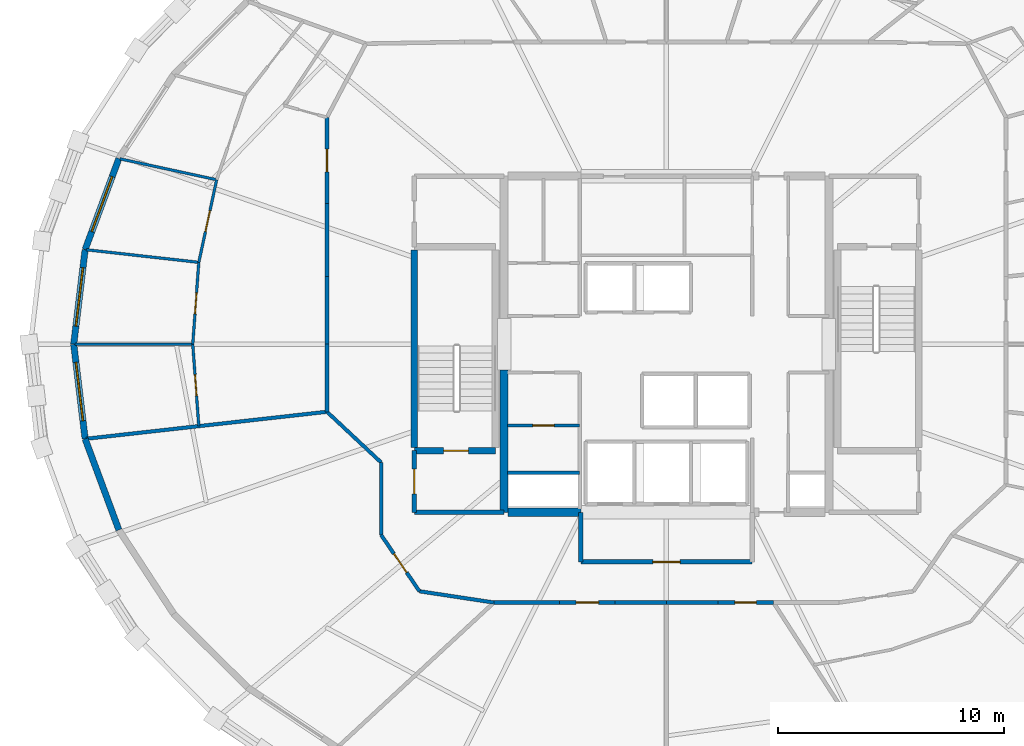
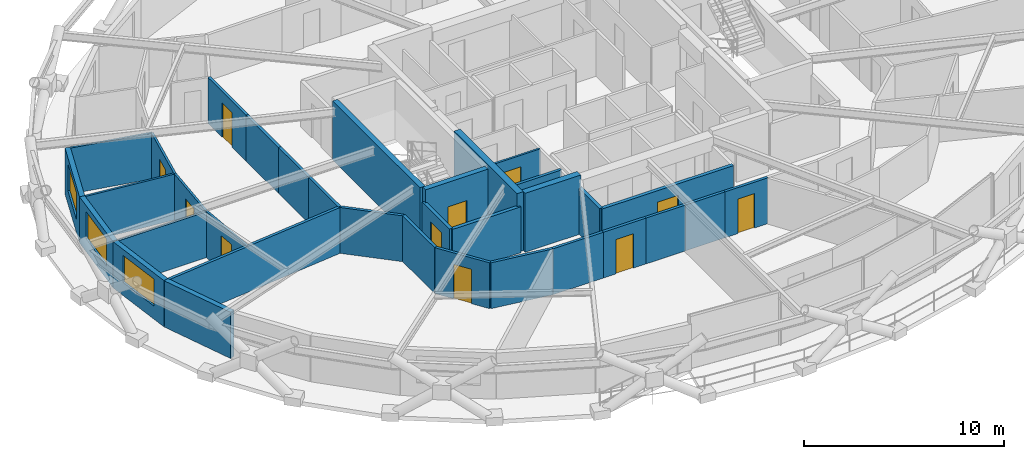
# One storey, part 14 of 19: 34 walls, 11 doors, 3 windows, 14 openings.
"""IFC4 building model written with IfcOpenShell, lengths in metres."""

import ifcopenshell
import ifcopenshell.guid

model = None  # the IFC model being written
_history = None  # IfcOwnerHistory: only IFC2X3 demands one
_inside = {}  # id of a spatial element -> (the spatial element, [elements in it])
_under = {}  # id of a project, library or spatial element -> (it, [spatial elements below it])
_declared = {}  # id of a project -> (the project, [libraries it declares])
_typed = {}  # id of a type object -> (the type object, [elements of that type])
_made_of = {}  # id of a material, layer set ... -> (it, [elements and type objects made of it])


def new_model(schema):
    """Start an empty IFC model of exactly this schema.

    Asked for "IFC4X3", IfcOpenShell would pick the latest addendum, in which some entities
    have other attributes; the version numbers below select the first issue.
    IFC2X3 requires an IfcOwnerHistory on every rooted entity: one is made here for all.
    """
    global model, _history
    if schema == "IFC4X3":
        model = ifcopenshell.file(schema_version=(4, 3, 0, 0))
    else:
        model = ifcopenshell.file(schema=schema)
    _inside.clear()
    _under.clear()
    _declared.clear()
    _typed.clear()
    _made_of.clear()
    _history = None
    if model.schema == "IFC2X3":
        org = make("IfcOrganization", Name="unknown")
        user = make(
            "IfcPersonAndOrganization",
            ThePerson=make("IfcPerson", FamilyName="unknown"),
            TheOrganization=org,
        )
        app = make(
            "IfcApplication",
            ApplicationDeveloper=org,
            Version="unknown",
            ApplicationFullName="unknown",
            ApplicationIdentifier="unknown",
        )
        _history = make(
            "IfcOwnerHistory",
            OwningUser=user,
            OwningApplication=app,
            ChangeAction="ADDED",
            CreationDate=0,
        )
    return model


def make(cls, **values):
    """One entity of the class cls with the attributes given. An attribute that is None is left unset."""
    return model.create_entity(
        cls, **{name: value for name, value in values.items() if value is not None}
    )


def rooted(cls, **values):
    """An entity with a GlobalId (a new one), such as an element, a storey or a relation."""
    return make(cls, GlobalId=ifcopenshell.guid.new(), OwnerHistory=_history, **values)


def si_unit(unit_type, name, prefix=None):
    """IfcSIUnit, for example si_unit("LENGTHUNIT", "METRE", prefix="MILLI")."""
    return make("IfcSIUnit", UnitType=unit_type, Prefix=prefix, Name=name)


def assignment(units):
    """IfcUnitAssignment: the units of a project."""
    return None if units is None else make("IfcUnitAssignment", Units=units)


def point(xyz):
    """IfcCartesianPoint."""
    return None if xyz is None else make("IfcCartesianPoint", Coordinates=xyz)


def direction(xyz):
    """IfcDirection."""
    return None if xyz is None else make("IfcDirection", DirectionRatios=xyz)


def frame(location, z_axis=None, x_axis=None):
    """IfcAxis2Placement3D, a coordinate frame: its origin and axes. An axis left out is left unset."""
    return make(
        "IfcAxis2Placement3D",
        Location=point(location),
        Axis=direction(z_axis),
        RefDirection=direction(x_axis),
    )


def frame_2d(location, x_axis=None):
    """IfcAxis2Placement2D, a coordinate frame in the plane: its origin and x axis."""
    return make(
        "IfcAxis2Placement2D", Location=point(location), RefDirection=direction(x_axis)
    )


def origin():
    """The frame at (0, 0, 0) with its axes left unset."""
    return frame((0.0, 0.0, 0.0))


def place(relative_to, where):
    """IfcLocalPlacement: puts the frame where relative to a parent placement (None: the world)."""
    return make(
        "IfcLocalPlacement", PlacementRelTo=relative_to, RelativePlacement=where
    )


def context(
    kind, dimensions, precision=None, world=None, true_north=None, identifier=None
):
    """IfcGeometricRepresentationContext, for example the 3D "Model" context."""
    return make(
        "IfcGeometricRepresentationContext",
        ContextIdentifier=identifier,
        ContextType=kind,
        CoordinateSpaceDimension=dimensions,
        Precision=precision,
        WorldCoordinateSystem=world,
        TrueNorth=true_north,
    )


def subcontext(parent, identifier, kind, view, scale=None):
    """IfcGeometricRepresentationSubContext, for example "Body" below "Model"."""
    return make(
        "IfcGeometricRepresentationSubContext",
        ContextIdentifier=identifier,
        ContextType=kind,
        ParentContext=parent,
        TargetScale=scale,
        TargetView=view,
    )


def project(units=None, contexts=None):
    """IfcProject with its units and contexts."""
    return rooted(
        "IfcProject",
        Name="project",
        RepresentationContexts=contexts,
        UnitsInContext=assignment(units),
    )


def spatial(cls, under=None, at=None, **own):
    """A site, building, storey or space (cls), placed at a placement, below another one or the project."""
    s = rooted(cls, ObjectPlacement=at, **own)
    if under is not None:
        _under.setdefault(under.id(), (under, []))[1].append(s)
    return s


def profile(cls, at=None, kind="AREA", **sizes):
    """A parametric profile (cls). Its sizes go by their IFC names, for example OverallWidth=200.0."""
    return make(cls, ProfileType=kind, Position=at, **sizes)


def rectangle(**sizes):
    """IfcRectangleProfileDef."""
    return profile("IfcRectangleProfileDef", **sizes)


def extrude(swept, where, along, depth):
    """IfcExtrudedAreaSolid: the profile swept, set in the frame where, extruded along a direction by depth."""
    return make(
        "IfcExtrudedAreaSolid",
        SweptArea=swept,
        Position=where,
        ExtrudedDirection=direction(along),
        Depth=depth,
    )


def shape(context_of_items, identifier, shape_type, items):
    """IfcShapeRepresentation: the items that make up one representation, for example the "Body"."""
    return make(
        "IfcShapeRepresentation",
        ContextOfItems=context_of_items,
        RepresentationIdentifier=identifier,
        RepresentationType=shape_type,
        Items=items,
    )


def material(Name=None, Category=None):
    """IfcMaterial."""
    return make("IfcMaterial", Name=Name, Category=Category)


def layer(
    of_material, thickness, ventilated=None, Name=None, Category=None, Priority=None
):
    """IfcMaterialLayer: one layer of a wall or slab, of a material (None: an air gap)."""
    return make(
        "IfcMaterialLayer",
        Material=of_material,
        LayerThickness=thickness,
        IsVentilated=ventilated,
        Name=Name,
        Category=Category,
        Priority=Priority,
    )


def layer_set(layers, Name=None):
    """IfcMaterialLayerSet."""
    return make("IfcMaterialLayerSet", MaterialLayers=layers, LayerSetName=Name)


def made_of(thing, what):
    """Note that an element or type object is made of a material, layer set ...; save() writes the relation."""
    if what is not None:
        _made_of.setdefault(what.id(), (what, []))[1].append(thing)
    return thing


def type_object(cls, material=None, **own):
    """A type object (cls), such as IfcWallType, which elements share."""
    return made_of(rooted(cls, **own), material)


def element(
    cls,
    number,
    at=None,
    inside=None,
    cuts=None,
    type_object=None,
    material=None,
    context=None,
    identifier="Body",
    shape_type=None,
    held_by="IfcProductDefinitionShape",
    body=None,
    shapes=None,
    **own,
):
    """One element of the class cls, such as IfcWall. Its Tag is "e" and its number.

    at: its placement. inside: the storey or other place that contains it. cuts: it is an
    opening in that element (IfcRelVoidsElement). A single representation is given by context,
    identifier, shape_type and body (its items); several are given by shapes. held_by: the class
    of the entity that holds the representations. save() writes the other relations.
    """
    e = rooted(cls, Tag="e%d" % number, ObjectPlacement=at, **own)
    if body is not None:
        shapes = [shape(context, identifier, shape_type, body)]
    if shapes is not None:
        e.Representation = make(held_by, Representations=shapes)
    if inside is not None:
        _inside.setdefault(inside.id(), (inside, []))[1].append(e)
    if cuts is not None:
        rooted(
            "IfcRelVoidsElement", RelatingBuildingElement=cuts, RelatedOpeningElement=e
        )
    if type_object is not None:
        _typed.setdefault(type_object.id(), (type_object, []))[1].append(e)
    return made_of(e, material)


def fill(opening, filler):
    """IfcRelFillsElement: the door or window that sits in an opening."""
    return rooted(
        "IfcRelFillsElement",
        RelatingOpeningElement=opening,
        RelatedBuildingElement=filler,
    )


def aggregate(whole, parts):
    """IfcRelAggregates: a whole, such as a stair, and the parts it consists of."""
    return rooted("IfcRelAggregates", RelatingObject=whole, RelatedObjects=parts)


def save(model, path):
    """Write the relations noted so far, then the file.

    IfcRelAggregates (storeys below a building ...), IfcRelContainedInSpatialStructure (elements
    in a storey), IfcRelDefinesByType, IfcRelAssociatesMaterial and IfcRelDeclares: one each for
    every whole, place, type object, material and project.
    """
    for whole, parts in _under.values():
        aggregate(whole, parts)
    for where, things in _inside.values():
        rooted(
            "IfcRelContainedInSpatialStructure",
            RelatedElements=things,
            RelatingStructure=where,
        )
    for kind, things in _typed.values():
        rooted("IfcRelDefinesByType", RelatedObjects=things, RelatingType=kind)
    for what, things in _made_of.values():
        rooted("IfcRelAssociatesMaterial", RelatedObjects=things, RelatingMaterial=what)
    for by, libraries in _declared.values():
        rooted("IfcRelDeclares", RelatingContext=by, RelatedDefinitions=libraries)
    model.write(path)


model = new_model("IFC4")

# Units and contexts
model_context = context("Model", 3, precision=1e-05, world=origin(), true_north=direction((0.0, 1.0)))
body_context = subcontext(model_context, "Body", "Model", "MODEL_VIEW")
ifc_project = project(units=[si_unit("LENGTHUNIT", "METRE"), si_unit("AREAUNIT", "SQUARE_METRE"), si_unit("VOLUMEUNIT", "CUBIC_METRE"), si_unit("PLANEANGLEUNIT", "RADIAN"), si_unit("MASSUNIT", "GRAM", prefix="KILO")], contexts=[model_context])

# Site, building, storey
site_placement = place(None, origin())
site = spatial("IfcSite", under=ifc_project, at=site_placement, CompositionType="ELEMENT")
building_placement = place(site_placement, origin())
building = spatial("IfcBuilding", under=site, at=building_placement, Name="Veldorina Hangang Commons", CompositionType="ELEMENT")
storey_placement = place(building_placement, frame((0.0, 0.0, 156.800048828125)))
storey = spatial("IfcBuildingStorey", under=building, at=storey_placement, Name="L40", CompositionType="ELEMENT", Elevation=156.800048828125)

# Walls
ifc_material_1 = material(Name="Concrete C60/75", Category="concrete")
ifc_layer_1 = layer(ifc_material_1, 0.360107421875)
ifc_layer_set_1 = layer_set([ifc_layer_1], Name="Concrete C60/75")
wall_type_1 = type_object("IfcWallType", Name="CW-RC360-C60", PredefinedType="SHEAR", material=ifc_layer_set_1)
wall_1_placement = place(storey_placement, frame((24.800048828125, 16.550048828125, 0.0), z_axis=(0.0, 0.0, 1.0), x_axis=(0.0, 1.0, 0.0)))
element("IfcWall", 1, at=wall_1_placement, inside=storey, type_object=wall_type_1, Name="L40 W south core shear wall", PredefinedType="SHEAR", context=body_context, shape_type="SweptSolid", body=[
    extrude(rectangle(XDim=6.300048828125, YDim=0.360107421875, at=frame_2d((3.14990234375, 0.0))), origin(), (0.0, 0.0, 1.0), 3.599853515625),
])
wall_2_placement = place(storey_placement, frame((24.97998046875, 16.550048828125, 0.0), z_axis=(0.0, 0.0, 1.0), x_axis=(1.0, 0.0, 0.0)))
element("IfcWall", 2, at=wall_2_placement, inside=storey, type_object=wall_type_1, Name="L40 south-west core shear wall", PredefinedType="SHEAR", context=body_context, shape_type="SweptSolid", body=[
    extrude(rectangle(XDim=3.219970703125, YDim=0.360107421875, at=frame_2d((1.60986328125, 0.0))), origin(), (0.0, 0.0, 1.0), 3.599853515625),
])

# Wall, opening, window
ifc_material_2 = material(Name="Stone Roman Travertine", Category="masonry")
ifc_layer_2 = layer(ifc_material_2, 0.280029296875)
ifc_layer_set_2 = layer_set([ifc_layer_2], Name="Stone Roman Travertine")
wall_type_2 = type_object("IfcWallType", Name="EW-TRAV-280", PredefinedType="STANDARD", material=ifc_layer_set_2)
wall_3_placement = place(storey_placement, frame((7.72509765625, 32.2294921875, 0.0), z_axis=(0.0, 0.0, 1.0), x_axis=(-0.347513952329, -0.937674811935, 0.0)))
wall_3 = element("IfcWall", 3, at=wall_3_placement, inside=storey, type_object=wall_type_2, Name="L40 travertine facade wall 14", PredefinedType="STANDARD", context=body_context, shape_type="SweptSolid", body=[
    extrude(rectangle(XDim=4.30224609375, YDim=0.280029296875, at=frame_2d((2.151123046875, 0.0))), origin(), (0.0, 0.0, 1.0), 2.820068359375),
])
opening_1_placement = place(wall_3_placement, frame((0.85107421875, 0.0, 0.800048828125)))
opening_1 = element("IfcOpeningElement", 4, at=opening_1_placement, cuts=wall_3, Name="Opening W-02", PredefinedType="OPENING", context=body_context, shape_type="SweptSolid", body=[
    extrude(rectangle(XDim=2.60009765625, YDim=1.64990234375, at=frame_2d((1.300048828125, 0.824951171875))), frame((0.0, 0.14990234375, 0.0), z_axis=(0.0, -1.0, 0.0), x_axis=(1.0, 0.0, 0.0)), (0.0, 0.0, 1.0), 0.300048828125),
])
ifc_material_3 = material(Name="Glass Low-E Triple IGU", Category="glass")
window_type = type_object("IfcWindowType", Name="WIN-TWR-2600", PartitioningType="SINGLE_PANEL", PredefinedType="WINDOW", material=ifc_material_3)
window_1_placement = place(opening_1_placement, origin())
window_1 = element("IfcWindow", 5, at=window_1_placement, inside=storey, type_object=window_type, Name="L40 facade window 14", OverallHeight=1.64990234375, OverallWidth=2.60009765625, PartitioningType="SINGLE_PANEL", PredefinedType="WINDOW", context=body_context, shape_type="SweptSolid", body=[
    extrude(rectangle(XDim=2.60009765625, YDim=1.64990234375, at=frame_2d((1.300048828125, 0.824951171875))), frame((0.0, 0.030029296875, 0.0), z_axis=(0.0, -1.0, 0.0), x_axis=(1.0, 0.0, 0.0)), (0.0, 0.0, 1.0), 0.06005859375),
])
fill(opening_1, window_1)

wall_4_placement = place(storey_placement, frame((6.22998046875, 28.1953125, 0.0), z_axis=(0.0, 0.0, 1.0), x_axis=(-0.119482396894, -0.992836319255, 0.0)))
wall_4 = element("IfcWall", 6, at=wall_4_placement, inside=storey, type_object=wall_type_2, Name="L40 travertine facade wall 15", PredefinedType="STANDARD", context=body_context, shape_type="SweptSolid", body=[
    extrude(rectangle(XDim=4.2255859375, YDim=0.280029296875, at=frame_2d((2.11279296875, 0.0))), origin(), (0.0, 0.0, 1.0), 2.820068359375),
])
opening_2_placement = place(wall_4_placement, frame((0.812744140625, 0.0, 0.800048828125)))
opening_2 = element("IfcOpeningElement", 7, at=opening_2_placement, cuts=wall_4, Name="Opening W-02", PredefinedType="OPENING", context=body_context, shape_type="SweptSolid", body=[
    extrude(rectangle(XDim=2.60009765625, YDim=1.64990234375, at=frame_2d((1.300048828125, 0.824951171875))), frame((0.0, 0.14990234375, 0.0), z_axis=(0.0, -1.0, 0.0), x_axis=(1.0, 0.0, 0.0)), (0.0, 0.0, 1.0), 0.300048828125),
])
window_2_placement = place(opening_2_placement, origin())
window_2 = element("IfcWindow", 8, at=window_2_placement, inside=storey, type_object=window_type, Name="L40 facade window 15", OverallHeight=1.64990234375, OverallWidth=2.60009765625, PartitioningType="SINGLE_PANEL", PredefinedType="WINDOW", context=body_context, shape_type="SweptSolid", body=[
    extrude(rectangle(XDim=2.60009765625, YDim=1.64990234375, at=frame_2d((1.300048828125, 0.824951171875))), frame((0.0, 0.030029296875, 0.0), z_axis=(0.0, -1.0, 0.0), x_axis=(1.0, 0.0, 0.0)), (0.0, 0.0, 1.0), 0.06005859375),
])
fill(opening_2, window_2)

wall_5_placement = place(storey_placement, frame((5.72509765625, 24.0, 0.0), z_axis=(0.0, 0.0, 1.0), x_axis=(0.119482396894, -0.992836319255, 0.0)))
wall_5 = element("IfcWall", 9, at=wall_5_placement, inside=storey, type_object=wall_type_2, Name="L40 travertine facade wall 16", PredefinedType="STANDARD", context=body_context, shape_type="SweptSolid", body=[
    extrude(rectangle(XDim=4.2255859375, YDim=0.280029296875, at=frame_2d((2.11279296875, 0.0))), origin(), (0.0, 0.0, 1.0), 2.820068359375),
])
opening_3_placement = place(wall_5_placement, frame((0.812744140625, 0.0, 0.800048828125)))
opening_3 = element("IfcOpeningElement", 10, at=opening_3_placement, cuts=wall_5, Name="Opening W-02", PredefinedType="OPENING", context=body_context, shape_type="SweptSolid", body=[
    extrude(rectangle(XDim=2.60009765625, YDim=1.64990234375, at=frame_2d((1.300048828125, 0.824951171875))), frame((0.0, 0.14990234375, 0.0), z_axis=(0.0, -1.0, 0.0), x_axis=(1.0, 0.0, 0.0)), (0.0, 0.0, 1.0), 0.300048828125),
])
window_3_placement = place(opening_3_placement, origin())
window_3 = element("IfcWindow", 11, at=window_3_placement, inside=storey, type_object=window_type, Name="L40 facade window 16", OverallHeight=1.64990234375, OverallWidth=2.60009765625, PartitioningType="SINGLE_PANEL", PredefinedType="WINDOW", context=body_context, shape_type="SweptSolid", body=[
    extrude(rectangle(XDim=2.60009765625, YDim=1.64990234375, at=frame_2d((1.300048828125, 0.824951171875))), frame((0.0, 0.030029296875, 0.0), z_axis=(0.0, -1.0, 0.0), x_axis=(1.0, 0.0, 0.0)), (0.0, 0.0, 1.0), 0.06005859375),
])
fill(opening_3, window_3)

# Walls
wall_6_placement = place(storey_placement, frame((6.22998046875, 19.8046875, 0.0), z_axis=(0.0, 0.0, 1.0), x_axis=(0.347513952329, -0.937674811935, 0.0)))
element("IfcWall", 12, at=wall_6_placement, inside=storey, type_object=wall_type_2, Name="L40 travertine facade wall 17", PredefinedType="STANDARD", context=body_context, shape_type="SweptSolid", body=[
    extrude(rectangle(XDim=4.30224609375, YDim=0.280029296875, at=frame_2d((2.151123046875, 0.0))), origin(), (0.0, 0.0, 1.0), 2.820068359375),
])
ifc_material_4 = material(Name="Concrete C50/60", Category="concrete")
ifc_layer_3 = layer(ifc_material_4, 0.300048828125)
ifc_layer_set_3 = layer_set([ifc_layer_3], Name="Concrete C50/60")
wall_type_3 = type_object("IfcWallType", Name="SW-STAIR-300", PredefinedType="SHEAR", material=ifc_layer_set_3)
wall_7_placement = place(storey_placement, frame((20.820068359375, 19.429931640625, 0.0), z_axis=(0.0, 0.0, 1.0), x_axis=(0.0, 1.0, 0.0)))
element("IfcWall", 13, at=wall_7_placement, inside=storey, type_object=wall_type_3, Name="L40 ST1 outer stair shear wall", PredefinedType="SHEAR", context=body_context, shape_type="SweptSolid", body=[
    extrude(rectangle(XDim=8.739990234375, YDim=0.300048828125, at=frame_2d((4.3701171875, 0.0))), origin(), (0.0, 0.0, 1.0), 3.599853515625),
])

# Wall, opening, door
wall_8_placement = place(storey_placement, frame((20.820068359375, 19.280029296875, 0.0), z_axis=(0.0, 0.0, 1.0), x_axis=(1.0, 0.0, 0.0)))
wall_8 = element("IfcWall", 14, at=wall_8_placement, inside=storey, type_object=wall_type_3, Name="L40 ST1 south stair shear wall", PredefinedType="SHEAR", context=body_context, shape_type="SweptSolid", body=[
    extrude(rectangle(XDim=3.599853515625, YDim=0.300048828125, at=frame_2d((1.7998046875, 0.0))), origin(), (0.0, 0.0, 1.0), 3.599853515625),
])
opening_4_placement = place(wall_8_placement, frame((1.300048828125, 0.0, 0.0)))
opening_4 = element("IfcOpeningElement", 15, at=opening_4_placement, cuts=wall_8, Name="Opening D-08", PredefinedType="OPENING", context=body_context, shape_type="SweptSolid", body=[
    extrude(rectangle(XDim=1.10009765625, YDim=2.10009765625, at=frame_2d((0.550048828125, 1.050048828125))), frame((0.0, 0.16015625, 0.0), z_axis=(0.0, -1.0, 0.0), x_axis=(1.0, 0.0, 0.0)), (0.0, 0.0, 1.0), 0.320068359375),
])
ifc_material_5 = material(Name="Steel Fire-Rated Smoke Seal", Category="steel")
door_type_1 = type_object("IfcDoorType", Name="DR-FIRE-1100", OperationType="SINGLE_SWING_RIGHT", PredefinedType="DOOR", material=ifc_material_5)
door_1_placement = place(opening_4_placement, origin())
door_1 = element("IfcDoor", 16, at=door_1_placement, inside=storey, type_object=door_type_1, Name="L40 Special Escape Stair ST-1 door", OperationType="SINGLE_SWING_LEFT", OverallHeight=2.10009765625, OverallWidth=1.10009765625, PredefinedType="DOOR", context=body_context, shape_type="SweptSolid", body=[
    extrude(rectangle(XDim=1.10009765625, YDim=2.10009765625, at=frame_2d((0.550048828125, 1.050048828125))), frame((0.0, 0.02490234375, 0.0), z_axis=(0.0, -1.0, 0.0), x_axis=(1.0, 0.0, 0.0)), (0.0, 0.0, 1.0), 0.050048828125),
])
fill(opening_4, door_1)

# Wall
ifc_material_6 = material(Name="Gypsum Fire-Rated Twin Stud Wall", Category="gypsum")
ifc_layer_4 = layer(ifc_material_6, 0.159912109375)
ifc_layer_set_4 = layer_set([ifc_layer_4], Name="Gypsum Fire-Rated Twin Stud Wall")
wall_type_4 = type_object("IfcWallType", Name="WL-FIRE-160", PredefinedType="SOLIDWALL", material=ifc_layer_set_4)
wall_9_placement = place(storey_placement, frame((24.949951171875, 18.300048828125, 0.0), z_axis=(0.0, 0.0, 1.0), x_axis=(1.0, 0.0, 0.0)))
element("IfcWall", 17, at=wall_9_placement, inside=storey, type_object=wall_type_4, Name="L40 Electrical riser wall 035", PredefinedType="SOLIDWALL", context=body_context, shape_type="SweptSolid", body=[
    extrude(rectangle(XDim=3.199951171875, YDim=0.159912109375, at=frame_2d((1.60009765625, 0.0))), origin(), (0.0, 0.0, 1.0), 2.800048828125),
])

# Wall, opening, door
wall_10_placement = place(storey_placement, frame((16.949951171875, 34.05615234375, 0.0), z_axis=(0.0, 0.0, 1.0), x_axis=(0.0, -1.0, 0.0)))
wall_10 = element("IfcWall", 18, at=wall_10_placement, inside=storey, type_object=wall_type_4, Name="L40 U-corridor outer wall 13 061", PredefinedType="SOLIDWALL", context=body_context, shape_type="SweptSolid", body=[
    extrude(rectangle(XDim=3.822265625, YDim=0.159912109375, at=frame_2d((1.9111328125, 0.0))), origin(), (0.0, 0.0, 1.0), 2.800048828125),
])
opening_5_placement = place(wall_10_placement, frame((1.4111328125, 0.0, 0.0)))
opening_5 = element("IfcOpeningElement", 19, at=opening_5_placement, cuts=wall_10, Name="Opening D-06", PredefinedType="OPENING", context=body_context, shape_type="SweptSolid", body=[
    extrude(rectangle(XDim=1.0, YDim=2.10009765625, at=frame_2d((0.5, 1.050048828125))), frame((0.0, 0.08984375, 0.0), z_axis=(0.0, -1.0, 0.0), x_axis=(1.0, 0.0, 0.0)), (0.0, 0.0, 1.0), 0.179931640625),
])
ifc_material_7 = material(Name="Timber Fire-Rated Entrance Core", Category="wood")
door_type_2 = type_object("IfcDoorType", Name="DR-UNIT-1000", OperationType="SINGLE_SWING_LEFT", PredefinedType="DOOR", material=ifc_material_7)
door_2_placement = place(opening_5_placement, origin())
door_2 = element("IfcDoor", 20, at=door_2_placement, inside=storey, type_object=door_type_2, Name="L40 Cluster 9 entrance door 037", OperationType="SINGLE_SWING_LEFT", OverallHeight=2.10009765625, OverallWidth=1.0, PredefinedType="DOOR", context=body_context, shape_type="SweptSolid", body=[
    extrude(rectangle(XDim=1.0, YDim=2.10009765625, at=frame_2d((0.5, 1.050048828125))), frame((0.0, 0.02490234375, 0.0), z_axis=(0.0, -1.0, 0.0), x_axis=(1.0, 0.0, 0.0)), (0.0, 0.0, 1.0), 0.050048828125),
])
fill(opening_5, door_2)

# Walls
wall_11_placement = place(storey_placement, frame((16.949951171875, 30.23388671875, 0.0), z_axis=(0.0, 0.0, 1.0), x_axis=(0.0, -1.0, 0.0)))
element("IfcWall", 21, at=wall_11_placement, inside=storey, type_object=wall_type_4, Name="L40 U-corridor outer wall 14 062", PredefinedType="SOLIDWALL", context=body_context, shape_type="SweptSolid", body=[
    extrude(rectangle(XDim=3.240234375, YDim=0.159912109375, at=frame_2d((1.6201171875, 0.0))), origin(), (0.0, 0.0, 1.0), 2.800048828125),
])
for number, where, z_axis, x_axis, name in (
    (22, (16.949951171875, 26.99365234375, 0.0), (0.0, 0.0, 1.0), (0.0, -1.0, 0.0), "L40 U-corridor outer wall 15 063"),
    (23, (16.949951171875, 24.0, 0.0), (0.0, 0.0, 1.0), (0.0, -1.0, 0.0), "L40 U-corridor outer wall 16 064"),
):
    element("IfcWall", number, at=place(storey_placement, frame(where, z_axis=z_axis, x_axis=x_axis)), inside=storey, type_object=wall_type_4, Name=name, PredefinedType="SOLIDWALL", context=body_context, shape_type="SweptSolid", body=[
        extrude(rectangle(XDim=2.99365234375, YDim=0.159912109375, at=frame_2d((1.496826171875, 0.0))), origin(), (0.0, 0.0, 1.0), 2.800048828125),
    ])
wall_12_placement = place(storey_placement, frame((16.949951171875, 21.00634765625, 0.0), z_axis=(0.0, 0.0, 1.0), x_axis=(0.730150682073, -0.683286163674, 0.0)))
element("IfcWall", 24, at=wall_12_placement, inside=storey, type_object=wall_type_4, Name="L40 U-corridor outer wall 17 065", PredefinedType="SOLIDWALL", context=body_context, shape_type="SweptSolid", body=[
    extrude(rectangle(XDim=3.287109375, YDim=0.159912109375, at=frame_2d((1.6435546875, 0.0))), origin(), (0.0, 0.0, 1.0), 2.800048828125),
])
wall_13_placement = place(storey_placement, frame((19.35009765625, 18.76025390625, 0.0), z_axis=(0.0, 0.0, 1.0), x_axis=(0.0, -1.0, 0.0)))
element("IfcWall", 25, at=wall_13_placement, inside=storey, type_object=wall_type_4, Name="L40 U-corridor outer wall 18 066", PredefinedType="SOLIDWALL", context=body_context, shape_type="SweptSolid", body=[
    extrude(rectangle(XDim=3.212646484375, YDim=0.159912109375, at=frame_2d((1.6064453125, 0.0))), origin(), (0.0, 0.0, 1.0), 2.800048828125),
])

# Wall, opening, door
wall_14_placement = place(storey_placement, frame((19.35009765625, 15.547607421875, 0.0), z_axis=(0.0, 0.0, 1.0), x_axis=(0.562674669208, -0.826678423955, 0.0)))
wall_14 = element("IfcWall", 26, at=wall_14_placement, inside=storey, type_object=wall_type_4, Name="L40 U-corridor outer wall 19 067", PredefinedType="SOLIDWALL", context=body_context, shape_type="SweptSolid", body=[
    extrude(rectangle(XDim=3.021240234375, YDim=0.159912109375, at=frame_2d((1.5107421875, 0.0))), origin(), (0.0, 0.0, 1.0), 2.800048828125),
])
opening_6_placement = place(wall_14_placement, frame((1.010498046875, 0.0, 0.0)))
opening_6 = element("IfcOpeningElement", 27, at=opening_6_placement, cuts=wall_14, Name="Opening D-05", PredefinedType="OPENING", context=body_context, shape_type="SweptSolid", body=[
    extrude(rectangle(XDim=1.0, YDim=2.10009765625, at=frame_2d((0.5, 1.050048828125))), frame((0.0, 0.08984375, 0.0), z_axis=(0.0, -1.0, 0.0), x_axis=(1.0, 0.0, 0.0)), (0.0, 0.0, 1.0), 0.179931640625),
])
ifc_material_8 = material(Name="Timber Solid Core Acoustic", Category="wood")
door_type_3 = type_object("IfcDoorType", Name="DR-INT-1000", OperationType="SINGLE_SWING_RIGHT", PredefinedType="DOOR", material=ifc_material_8)
door_3_placement = place(opening_6_placement, origin())
door_3 = element("IfcDoor", 28, at=door_3_placement, inside=storey, type_object=door_type_3, Name="L40 Floor Study Room 10 door 043", OperationType="SINGLE_SWING_LEFT", OverallHeight=2.10009765625, OverallWidth=1.0, PredefinedType="DOOR", context=body_context, shape_type="SweptSolid", body=[
    extrude(rectangle(XDim=1.0, YDim=2.10009765625, at=frame_2d((0.5, 1.050048828125))), frame((0.0, 0.02490234375, 0.0), z_axis=(0.0, -1.0, 0.0), x_axis=(1.0, 0.0, 0.0)), (0.0, 0.0, 1.0), 0.050048828125),
])
fill(opening_6, door_3)

# Walls
wall_15_placement = place(storey_placement, frame((21.050048828125, 13.050048828125, 0.0), z_axis=(0.0, 0.0, 1.0), x_axis=(0.988710906508, -0.149835721217, 0.0)))
element("IfcWall", 29, at=wall_15_placement, inside=storey, type_object=wall_type_4, Name="L40 U-corridor outer wall 20 068", PredefinedType="SOLIDWALL", context=body_context, shape_type="SweptSolid", body=[
    extrude(rectangle(XDim=3.3369140625, YDim=0.159912109375, at=frame_2d((1.66845703125, 0.0))), origin(), (0.0, 0.0, 1.0), 2.800048828125),
])
wall_16_placement = place(storey_placement, frame((24.349365234375, 12.550048828125, 0.0), z_axis=(0.0, 0.0, 1.0), x_axis=(1.0, 0.0, 0.0)))
element("IfcWall", 30, at=wall_16_placement, inside=storey, type_object=wall_type_4, Name="L40 U-corridor outer wall 21 069", PredefinedType="SOLIDWALL", context=body_context, shape_type="SweptSolid", body=[
    extrude(rectangle(XDim=2.907958984375, YDim=0.159912109375, at=frame_2d((1.4541015625, 0.0))), origin(), (0.0, 0.0, 1.0), 2.800048828125),
])

# Wall, opening, door
wall_17_placement = place(storey_placement, frame((27.25732421875, 12.550048828125, 0.0), z_axis=(0.0, 0.0, 1.0), x_axis=(1.0, 0.0, 0.0)))
wall_17 = element("IfcWall", 31, at=wall_17_placement, inside=storey, type_object=wall_type_4, Name="L40 U-corridor outer wall 22 070", PredefinedType="SOLIDWALL", context=body_context, shape_type="SweptSolid", body=[
    extrude(rectangle(XDim=2.465087890625, YDim=0.159912109375, at=frame_2d((1.232421875, 0.0))), origin(), (0.0, 0.0, 1.0), 2.800048828125),
])
opening_7_placement = place(wall_17_placement, frame((0.732666015625, 0.0, 0.0)))
opening_7 = element("IfcOpeningElement", 32, at=opening_7_placement, cuts=wall_17, Name="Opening D-05", PredefinedType="OPENING", context=body_context, shape_type="SweptSolid", body=[
    extrude(rectangle(XDim=1.0, YDim=2.10009765625, at=frame_2d((0.5, 1.050048828125))), frame((0.0, 0.08984375, 0.0), z_axis=(0.0, -1.0, 0.0), x_axis=(1.0, 0.0, 0.0)), (0.0, 0.0, 1.0), 0.179931640625),
])
door_4_placement = place(opening_7_placement, origin())
door_4 = element("IfcDoor", 33, at=door_4_placement, inside=storey, type_object=door_type_3, Name="L40 Seminar Focus Room 11 door 044", OperationType="SINGLE_SWING_RIGHT", OverallHeight=2.10009765625, OverallWidth=1.0, PredefinedType="DOOR", context=body_context, shape_type="SweptSolid", body=[
    extrude(rectangle(XDim=1.0, YDim=2.10009765625, at=frame_2d((0.5, 1.050048828125))), frame((0.0, 0.02490234375, 0.0), z_axis=(0.0, -1.0, 0.0), x_axis=(1.0, 0.0, 0.0)), (0.0, 0.0, 1.0), 0.050048828125),
])
fill(opening_7, door_4)

# Walls
for number, where, z_axis, x_axis, name in (
    (34, (29.722412109375, 12.550048828125, 0.0), (0.0, 0.0, 1.0), (1.0, 0.0, 0.0), "L40 U-corridor outer wall 23 071"),
    (35, (32.0, 12.550048828125, 0.0), (0.0, 0.0, 1.0), (1.0, 0.0, 0.0), "L40 U-corridor outer wall 24 072"),
):
    element("IfcWall", number, at=place(storey_placement, frame(where, z_axis=z_axis, x_axis=x_axis)), inside=storey, type_object=wall_type_4, Name=name, PredefinedType="SOLIDWALL", context=body_context, shape_type="SweptSolid", body=[
        extrude(rectangle(XDim=2.277587890625, YDim=0.159912109375, at=frame_2d((1.138671875, 0.0))), origin(), (0.0, 0.0, 1.0), 2.800048828125),
    ])

# Wall, opening, door
wall_18_placement = place(storey_placement, frame((34.277587890625, 12.550048828125, 0.0), z_axis=(0.0, 0.0, 1.0), x_axis=(1.0, 0.0, 0.0)))
wall_18 = element("IfcWall", 36, at=wall_18_placement, inside=storey, type_object=wall_type_4, Name="L40 U-corridor outer wall 25 073", PredefinedType="SOLIDWALL", context=body_context, shape_type="SweptSolid", body=[
    extrude(rectangle(XDim=2.465087890625, YDim=0.159912109375, at=frame_2d((1.232421875, 0.0))), origin(), (0.0, 0.0, 1.0), 2.800048828125),
])
opening_8_placement = place(wall_18_placement, frame((0.757568359375, 0.0, 0.0)))
opening_8 = element("IfcOpeningElement", 37, at=opening_8_placement, cuts=wall_18, Name="Opening D-02", PredefinedType="OPENING", context=body_context, shape_type="SweptSolid", body=[
    extrude(rectangle(XDim=0.949951171875, YDim=2.10009765625, at=frame_2d((0.47509765625, 1.050048828125))), frame((0.0, 0.08984375, 0.0), z_axis=(0.0, -1.0, 0.0), x_axis=(1.0, 0.0, 0.0)), (0.0, 0.0, 1.0), 0.179931640625),
])
door_type_4 = type_object("IfcDoorType", Name="DR-INT-950", OperationType="SINGLE_SWING_LEFT", PredefinedType="DOOR", material=ifc_material_8)
door_5_placement = place(opening_8_placement, origin())
door_5 = element("IfcDoor", 38, at=door_5_placement, inside=storey, type_object=door_type_4, Name="L40 Linen drying store door 045", OperationType="SINGLE_SWING_LEFT", OverallHeight=2.10009765625, OverallWidth=0.949951171875, PredefinedType="DOOR", context=body_context, shape_type="SweptSolid", body=[
    extrude(rectangle(XDim=0.949951171875, YDim=2.10009765625, at=frame_2d((0.47509765625, 1.050048828125))), frame((0.0, 0.02490234375, 0.0), z_axis=(0.0, -1.0, 0.0), x_axis=(1.0, 0.0, 0.0)), (0.0, 0.0, 1.0), 0.050048828125),
])
fill(opening_8, door_5)

# Wall
wall_19_placement = place(storey_placement, frame((16.949951171875, 21.00634765625, 0.0), z_axis=(0.0, 0.0, 1.0), x_axis=(-0.993776231557, -0.111394800558, 0.0)))
element("IfcWall", 39, at=wall_19_placement, inside=storey, type_object=wall_type_4, Name="L40 Unit party wall 17 117", PredefinedType="SOLIDWALL", context=body_context, shape_type="SweptSolid", body=[
    extrude(rectangle(XDim=10.737060546875, YDim=0.159912109375, at=frame_2d((5.36865234375, 0.0))), origin(), (0.0, 0.0, 1.0), 2.800048828125),
])

# Wall, opening, door
ifc_material_9 = material(Name="Concrete Blockwork Fire Wall C30/37", Category="masonry")
ifc_layer_5 = layer(ifc_material_9, 0.199951171875)
ifc_layer_set_5 = layer_set([ifc_layer_5], Name="Concrete Blockwork Fire Wall C30/37")
wall_type_5 = type_object("IfcWallType", Name="WL-FIRE-200", PredefinedType="SOLIDWALL", material=ifc_layer_set_5)
wall_20_placement = place(storey_placement, frame((20.820068359375, 16.550048828125, 0.0), z_axis=(0.0, 0.0, 1.0), x_axis=(0.0, 1.0, 0.0)))
wall_20 = element("IfcWall", 40, at=wall_20_placement, inside=storey, type_object=wall_type_5, Name="L40 West vestibule outer wall 001", PredefinedType="SOLIDWALL", context=body_context, shape_type="SweptSolid", body=[
    extrude(rectangle(XDim=2.72998046875, YDim=0.199951171875, at=frame_2d((1.364990234375, 0.0))), origin(), (0.0, 0.0, 1.0), 2.800048828125),
])
opening_9_placement = place(wall_20_placement, frame((0.81494140625, 0.0, 0.0)))
opening_9 = element("IfcOpeningElement", 41, at=opening_9_placement, cuts=wall_20, Name="Opening D-08", PredefinedType="OPENING", context=body_context, shape_type="SweptSolid", body=[
    extrude(rectangle(XDim=1.10009765625, YDim=2.10009765625, at=frame_2d((0.550048828125, 1.050048828125))), frame((0.0, 0.10986328125, 0.0), z_axis=(0.0, -1.0, 0.0), x_axis=(1.0, 0.0, 0.0)), (0.0, 0.0, 1.0), 0.219970703125),
])
door_6_placement = place(opening_9_placement, origin())
door_6 = element("IfcDoor", 42, at=door_6_placement, inside=storey, type_object=door_type_1, Name="L40 West vestibule west door 001", OperationType="SINGLE_SWING_LEFT", OverallHeight=2.10009765625, OverallWidth=1.10009765625, PredefinedType="DOOR", context=body_context, shape_type="SweptSolid", body=[
    extrude(rectangle(XDim=1.10009765625, YDim=2.10009765625, at=frame_2d((0.550048828125, 1.050048828125))), frame((0.0, 0.02490234375, 0.0), z_axis=(0.0, -1.0, 0.0), x_axis=(1.0, 0.0, 0.0)), (0.0, 0.0, 1.0), 0.050048828125),
])
fill(opening_9, door_6)

# Walls
wall_21_placement = place(storey_placement, frame((20.820068359375, 16.550048828125, 0.0), z_axis=(0.0, 0.0, 1.0), x_axis=(1.0, 0.0, 0.0)))
element("IfcWall", 43, at=wall_21_placement, inside=storey, type_object=wall_type_5, Name="L40 West vestibule south wall 002", PredefinedType="SOLIDWALL", context=body_context, shape_type="SweptSolid", body=[
    extrude(rectangle(XDim=3.97998046875, YDim=0.199951171875, at=frame_2d((1.989990234375, 0.0))), origin(), (0.0, 0.0, 1.0), 2.800048828125),
])
wall_22_placement = place(storey_placement, frame((28.199951171875, 14.35009765625, 0.0), z_axis=(0.0, 0.0, 1.0), x_axis=(0.0, 1.0, 0.0)))
element("IfcWall", 44, at=wall_22_placement, inside=storey, type_object=wall_type_5, Name="L40 FF lobby west wall 012", PredefinedType="SOLIDWALL", context=body_context, shape_type="SweptSolid", body=[
    extrude(rectangle(XDim=2.199951171875, YDim=0.199951171875, at=frame_2d((1.10009765625, 0.0))), origin(), (0.0, 0.0, 1.0), 2.800048828125),
])

# Wall, opening, door
wall_23_placement = place(storey_placement, frame((28.199951171875, 14.35009765625, 0.0), z_axis=(0.0, 0.0, 1.0), x_axis=(1.0, 0.0, 0.0)))
wall_23 = element("IfcWall", 45, at=wall_23_placement, inside=storey, type_object=wall_type_5, Name="L40 FF lobby south wall 014", PredefinedType="SOLIDWALL", context=body_context, shape_type="SweptSolid", body=[
    extrude(rectangle(XDim=7.60009765625, YDim=0.199951171875, at=frame_2d((3.800048828125, 0.0))), origin(), (0.0, 0.0, 1.0), 2.800048828125),
])
opening_10_placement = place(wall_23_placement, frame((3.199951171875, 0.0, 0.0)))
opening_10 = element("IfcOpeningElement", 46, at=opening_10_placement, cuts=wall_23, Name="Opening D-09", PredefinedType="OPENING", context=body_context, shape_type="SweptSolid", body=[
    extrude(rectangle(XDim=1.199951171875, YDim=2.10009765625, at=frame_2d((0.60009765625, 1.050048828125))), frame((0.0, 0.10986328125, 0.0), z_axis=(0.0, -1.0, 0.0), x_axis=(1.0, 0.0, 0.0)), (0.0, 0.0, 1.0), 0.219970703125),
])
ifc_material_10 = material(Name="Steel Fire-Rated Corridor Door", Category="steel")
door_type_5 = type_object("IfcDoorType", Name="DR-FIRE-1200", OperationType="SINGLE_SWING_LEFT", PredefinedType="DOOR", material=ifc_material_10)
door_7_placement = place(opening_10_placement, origin())
door_7 = element("IfcDoor", 47, at=door_7_placement, inside=storey, type_object=door_type_5, Name="L40 FF lobby south corridor door 005", OperationType="SINGLE_SWING_LEFT", OverallHeight=2.10009765625, OverallWidth=1.199951171875, PredefinedType="DOOR", context=body_context, shape_type="SweptSolid", body=[
    extrude(rectangle(XDim=1.199951171875, YDim=2.10009765625, at=frame_2d((0.60009765625, 1.050048828125))), frame((0.0, 0.02490234375, 0.0), z_axis=(0.0, -1.0, 0.0), x_axis=(1.0, 0.0, 0.0)), (0.0, 0.0, 1.0), 0.050048828125),
])
fill(opening_10, door_7)

ifc_material_11 = material(Name="Gypsum Acoustic Stud Partition", Category="gypsum")
ifc_layer_6 = layer(ifc_material_11, 0.1201171875)
ifc_layer_set_6 = layer_set([ifc_layer_6], Name="Gypsum Acoustic Stud Partition")
wall_type_6 = type_object("IfcWallType", Name="WL-PART-120", PredefinedType="PARTITIONING", material=ifc_layer_set_6)
wall_24_placement = place(storey_placement, frame((24.949951171875, 20.39990234375, 0.0), z_axis=(0.0, 0.0, 1.0), x_axis=(1.0, 0.0, 0.0)))
wall_24 = element("IfcWall", 48, at=wall_24_placement, inside=storey, type_object=wall_type_6, Name="L40 SW horizontal split 047", PredefinedType="PARTITIONING", context=body_context, shape_type="SweptSolid", body=[
    extrude(rectangle(XDim=3.199951171875, YDim=0.1201171875, at=frame_2d((1.60009765625, 0.0))), origin(), (0.0, 0.0, 1.0), 2.800048828125),
])
opening_11_placement = place(wall_24_placement, frame((1.125, 0.0, 0.0)))
opening_11 = element("IfcOpeningElement", 49, at=opening_11_placement, cuts=wall_24, Name="Opening D-02", PredefinedType="OPENING", context=body_context, shape_type="SweptSolid", body=[
    extrude(rectangle(XDim=0.949951171875, YDim=2.10009765625, at=frame_2d((0.47509765625, 1.050048828125))), frame((0.0, 0.070068359375, 0.0), z_axis=(0.0, -1.0, 0.0), x_axis=(1.0, 0.0, 0.0)), (0.0, 0.0, 1.0), 0.14013671875),
])
door_8_placement = place(opening_11_placement, origin())
door_8 = element("IfcDoor", 50, at=door_8_placement, inside=storey, type_object=door_type_4, Name="L40 Archive closet door 017", OperationType="SINGLE_SWING_LEFT", OverallHeight=2.10009765625, OverallWidth=0.949951171875, PredefinedType="DOOR", context=body_context, shape_type="SweptSolid", body=[
    extrude(rectangle(XDim=0.949951171875, YDim=2.10009765625, at=frame_2d((0.47509765625, 1.050048828125))), frame((0.0, 0.02490234375, 0.0), z_axis=(0.0, -1.0, 0.0), x_axis=(1.0, 0.0, 0.0)), (0.0, 0.0, 1.0), 0.050048828125),
])
fill(opening_11, door_8)

wall_25_placement = place(storey_placement, frame((12.060791015625, 31.29150390625, 0.0), z_axis=(0.0, 0.0, 1.0), x_axis=(-0.211571761538, -0.977362465884, 0.0)))
wall_25 = element("IfcWall", 51, at=wall_25_placement, inside=storey, type_object=wall_type_6, Name="L40 Cluster 9 bed 3 front wall 111", PredefinedType="PARTITIONING", context=body_context, shape_type="SweptSolid", body=[
    extrude(rectangle(XDim=3.74560546875, YDim=0.1201171875, at=frame_2d((1.872802734375, 0.0))), origin(), (0.0, 0.0, 1.0), 2.800048828125),
])
opening_12_placement = place(wall_25_placement, frame((1.39794921875, 0.0, 0.0)))
opening_12 = element("IfcOpeningElement", 52, at=opening_12_placement, cuts=wall_25, Name="Opening D-02", PredefinedType="OPENING", context=body_context, shape_type="SweptSolid", body=[
    extrude(rectangle(XDim=0.949951171875, YDim=2.10009765625, at=frame_2d((0.47509765625, 1.050048828125))), frame((0.0, 0.070068359375, 0.0), z_axis=(0.0, -1.0, 0.0), x_axis=(1.0, 0.0, 0.0)), (0.0, 0.0, 1.0), 0.14013671875),
])
door_9_placement = place(opening_12_placement, origin())
door_9 = element("IfcDoor", 53, at=door_9_placement, inside=storey, type_object=door_type_4, Name="L40 Cluster 9 bed 3 door 040", OperationType="SINGLE_SWING_RIGHT", OverallHeight=2.10009765625, OverallWidth=0.949951171875, PredefinedType="DOOR", context=body_context, shape_type="SweptSolid", body=[
    extrude(rectangle(XDim=0.949951171875, YDim=2.10009765625, at=frame_2d((0.47509765625, 1.050048828125))), frame((0.0, 0.02490234375, 0.0), z_axis=(0.0, -1.0, 0.0), x_axis=(1.0, 0.0, 0.0)), (0.0, 0.0, 1.0), 0.050048828125),
])
fill(opening_12, door_9)

# Wall
wall_26_placement = place(storey_placement, frame((12.060791015625, 31.29150390625, 0.0), z_axis=(0.0, 0.0, 1.0), x_axis=(-0.97739489365, 0.211421904891, 0.0)))
element("IfcWall", 54, at=wall_26_placement, inside=storey, type_object=wall_type_6, Name="L40 Cluster 9 bed divider 2 112", PredefinedType="PARTITIONING", context=body_context, shape_type="SweptSolid", body=[
    extrude(rectangle(XDim=4.3857421875, YDim=0.1201171875, at=frame_2d((2.19287109375, 0.0))), origin(), (0.0, 0.0, 1.0), 2.800048828125),
])

# Wall, opening, door
wall_27_placement = place(storey_placement, frame((11.268310546875, 27.630615234375, 0.0), z_axis=(0.0, 0.0, 1.0), x_axis=(-0.073501140862, -0.997295132993, 0.0)))
wall_27 = element("IfcWall", 55, at=wall_27_placement, inside=storey, type_object=wall_type_6, Name="L40 Cluster 9 bed 4 front wall 113", PredefinedType="PARTITIONING", context=body_context, shape_type="SweptSolid", body=[
    extrude(rectangle(XDim=3.640380859375, YDim=0.1201171875, at=frame_2d((1.8203125, 0.0))), origin(), (0.0, 0.0, 1.0), 2.800048828125),
])
opening_13_placement = place(wall_27_placement, frame((1.34521484375, 0.0, 0.0)))
opening_13 = element("IfcOpeningElement", 56, at=opening_13_placement, cuts=wall_27, Name="Opening D-02", PredefinedType="OPENING", context=body_context, shape_type="SweptSolid", body=[
    extrude(rectangle(XDim=0.949951171875, YDim=2.10009765625, at=frame_2d((0.47509765625, 1.050048828125))), frame((0.0, 0.070068359375, 0.0), z_axis=(0.0, -1.0, 0.0), x_axis=(1.0, 0.0, 0.0)), (0.0, 0.0, 1.0), 0.14013671875),
])
door_10_placement = place(opening_13_placement, origin())
door_10 = element("IfcDoor", 57, at=door_10_placement, inside=storey, type_object=door_type_4, Name="L40 Cluster 9 bed 4 door 041", OperationType="SINGLE_SWING_LEFT", OverallHeight=2.10009765625, OverallWidth=0.949951171875, PredefinedType="DOOR", context=body_context, shape_type="SweptSolid", body=[
    extrude(rectangle(XDim=0.949951171875, YDim=2.10009765625, at=frame_2d((0.47509765625, 1.050048828125))), frame((0.0, 0.02490234375, 0.0), z_axis=(0.0, -1.0, 0.0), x_axis=(1.0, 0.0, 0.0)), (0.0, 0.0, 1.0), 0.050048828125),
])
fill(opening_13, door_10)

# Wall
wall_28_placement = place(storey_placement, frame((11.268310546875, 27.630615234375, 0.0), z_axis=(0.0, 0.0, 1.0), x_axis=(-0.993778303092, 0.11137631841, 0.0)))
element("IfcWall", 58, at=wall_28_placement, inside=storey, type_object=wall_type_6, Name="L40 Cluster 9 bed divider 3 114", PredefinedType="PARTITIONING", context=body_context, shape_type="SweptSolid", body=[
    extrude(rectangle(XDim=5.019775390625, YDim=0.1201171875, at=frame_2d((2.509765625, 0.0))), origin(), (0.0, 0.0, 1.0), 2.800048828125),
])

# Wall, opening, door
wall_29_placement = place(storey_placement, frame((11.000732421875, 24.0, 0.0), z_axis=(0.0, 0.0, 1.0), x_axis=(0.073501140862, -0.997295132993, 0.0)))
wall_29 = element("IfcWall", 59, at=wall_29_placement, inside=storey, type_object=wall_type_6, Name="L40 Cluster 9 bed 5 front wall 115", PredefinedType="PARTITIONING", context=body_context, shape_type="SweptSolid", body=[
    extrude(rectangle(XDim=3.640380859375, YDim=0.1201171875, at=frame_2d((1.8203125, 0.0))), origin(), (0.0, 0.0, 1.0), 2.800048828125),
])
opening_14_placement = place(wall_29_placement, frame((1.34521484375, 0.0, 0.0)))
opening_14 = element("IfcOpeningElement", 60, at=opening_14_placement, cuts=wall_29, Name="Opening D-02", PredefinedType="OPENING", context=body_context, shape_type="SweptSolid", body=[
    extrude(rectangle(XDim=0.949951171875, YDim=2.10009765625, at=frame_2d((0.47509765625, 1.050048828125))), frame((0.0, 0.070068359375, 0.0), z_axis=(0.0, -1.0, 0.0), x_axis=(1.0, 0.0, 0.0)), (0.0, 0.0, 1.0), 0.14013671875),
])
door_11_placement = place(opening_14_placement, origin())
door_11 = element("IfcDoor", 61, at=door_11_placement, inside=storey, type_object=door_type_4, Name="L40 Cluster 9 bed 5 door 042", OperationType="SINGLE_SWING_RIGHT", OverallHeight=2.10009765625, OverallWidth=0.949951171875, PredefinedType="DOOR", context=body_context, shape_type="SweptSolid", body=[
    extrude(rectangle(XDim=0.949951171875, YDim=2.10009765625, at=frame_2d((0.47509765625, 1.050048828125))), frame((0.0, 0.02490234375, 0.0), z_axis=(0.0, -1.0, 0.0), x_axis=(1.0, 0.0, 0.0)), (0.0, 0.0, 1.0), 0.050048828125),
])
fill(opening_14, door_11)

# Wall
wall_30_placement = place(storey_placement, frame((11.000732421875, 24.0, 0.0), z_axis=(0.0, 0.0, 1.0), x_axis=(-1.0, 0.0, 0.0)))
element("IfcWall", 62, at=wall_30_placement, inside=storey, type_object=wall_type_6, Name="L40 Cluster 9 bed divider 4 116", PredefinedType="PARTITIONING", context=body_context, shape_type="SweptSolid", body=[
    extrude(rectangle(XDim=5.2255859375, YDim=0.1201171875, at=frame_2d((2.61279296875, 0.0))), origin(), (0.0, 0.0, 1.0), 2.800048828125),
])

save(model, "model.ifc")
